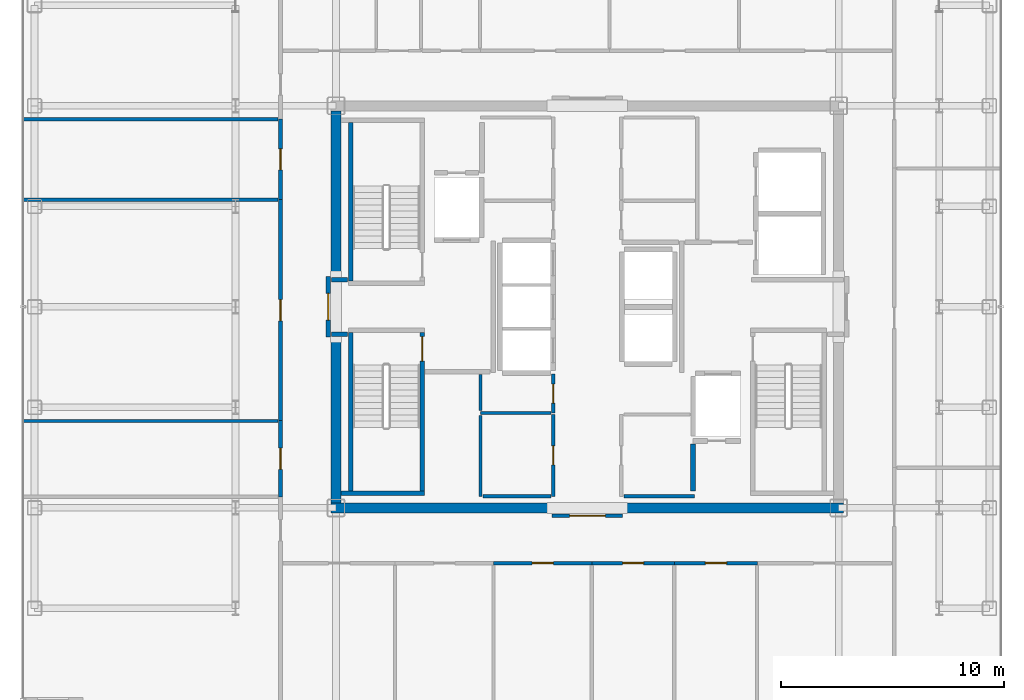
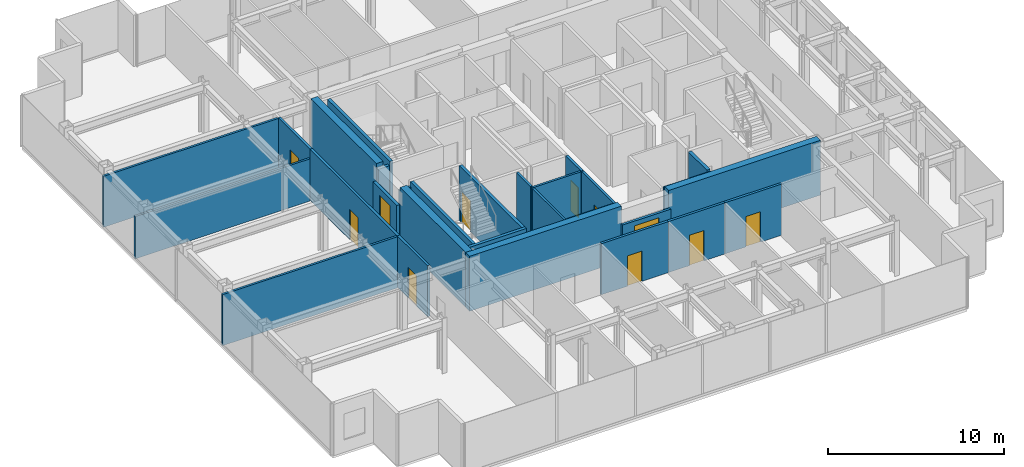
# One storey, part 13 of 18: 29 walls, 11 doors, 11 openings.
"""IFC4 building model written with IfcOpenShell, lengths in metres."""

from ifc_helpers import new_model, si_unit, direction, frame, frame_2d, origin, place, context, subcontext, project, spatial, rectangle, extrude, source, transform, mapped, material, layer, layer_set, type_object, element, fill, save


model = new_model("IFC4")

# Units and contexts
model_context = context("Model", 3, precision=1e-05, world=origin(), true_north=direction((0.0, 1.0)))
body_context = subcontext(model_context, "Body", "Model", "MODEL_VIEW")
ifc_project = project(units=[si_unit("LENGTHUNIT", "METRE"), si_unit("AREAUNIT", "SQUARE_METRE"), si_unit("VOLUMEUNIT", "CUBIC_METRE"), si_unit("PLANEANGLEUNIT", "RADIAN"), si_unit("MASSUNIT", "GRAM", prefix="KILO")], contexts=[model_context])

# Site, building, storey
site_placement = place(None, origin())
site = spatial("IfcSite", under=ifc_project, at=site_placement, CompositionType="ELEMENT")
building_placement = place(site_placement, origin())
building = spatial("IfcBuilding", under=site, at=building_placement, Name="Nefas-Gora Pilgrimage Tower", CompositionType="ELEMENT")
storey_placement = place(building_placement, frame((0.0, 0.0, 283.60009765625)))
storey = spatial("IfcBuildingStorey", under=building, at=storey_placement, Name="L71", CompositionType="ELEMENT", Elevation=283.60009765625)

# Walls
ifc_material_1 = material(Name="Concrete C50/60", Category="concrete")
ifc_layer_1 = layer(ifc_material_1, 0.449951171875)
ifc_layer_set_1 = layer_set([ifc_layer_1], Name="Concrete C50/60")
wall_type_1 = type_object("IfcWallType", Name="SW-CORE-450", PredefinedType="SHEAR", material=ifc_layer_set_1)
shared_shape_1 = source(origin(), body_context, "Body", "SweptSolid", [
    extrude(rectangle(XDim=9.925048828125, YDim=0.449951171875, at=frame_2d((4.96240234375, 0.0))), origin(), (0.0, 0.0, 1.0), 3.7998046875),
])
for number, where, z_axis, x_axis, name in (
    (1, (-11.47509765625, -9.0, 0.0), (0.0, 0.0, 1.0), (1.0, 0.0, 0.0), "L71 Core Shear Wall S-West"),
    (2, (1.550048828125, -9.0, 0.0), (0.0, 0.0, 1.0), (1.0, 0.0, 0.0), "L71 Core Shear Wall S-East"),
):
    element("IfcWall", number, at=place(storey_placement, frame(where, z_axis=z_axis, x_axis=x_axis)), inside=storey, type_object=wall_type_1, Name=name, PredefinedType="SHEAR", context=body_context, shape_type="MappedRepresentation", body=[
        mapped(shared_shape_1, transform((0.0, 0.0, 0.0), x_axis=(1.0, 0.0, 0.0), y_axis=(0.0, 1.0, 0.0), z_axis=(0.0, 0.0, 1.0), scale=1.0)),
    ])
shared_shape_2 = source(origin(), body_context, "Body", "SweptSolid", [
    extrude(rectangle(XDim=7.4248046875, YDim=0.449951171875, at=frame_2d((3.71240234375, 0.0))), origin(), (0.0, 0.0, 1.0), 3.7998046875),
])
for number, where, z_axis, x_axis, name in (
    (3, (-11.25, -8.77490234375, 0.0), (0.0, 0.0, 1.0), (0.0, 1.0, 0.0), "L71 Core Shear Wall W-South"),
    (4, (-11.25, 1.35009765625, 0.0), (0.0, 0.0, 1.0), (0.0, 1.0, 0.0), "L71 Core Shear Wall W-North"),
):
    element("IfcWall", number, at=place(storey_placement, frame(where, z_axis=z_axis, x_axis=x_axis)), inside=storey, type_object=wall_type_1, Name=name, PredefinedType="SHEAR", context=body_context, shape_type="MappedRepresentation", body=[
        mapped(shared_shape_2, transform((0.0, 0.0, 0.0), x_axis=(1.0, 0.0, 0.0), y_axis=(0.0, 1.0, 0.0), z_axis=(0.0, 0.0, 1.0), scale=1.0)),
    ])
ifc_material_2 = material(Name="Concrete C45/55", Category="concrete")
ifc_layer_2 = layer(ifc_material_2, 0.199951171875)
ifc_layer_set_2 = layer_set([ifc_layer_2], Name="Concrete C45/55")
wall_type_2 = type_object("IfcWallType", Name="IW-STAIR-200", PredefinedType="SOLIDWALL", material=ifc_layer_set_2)
shared_shape_3 = source(origin(), body_context, "Body", "SweptSolid", [
    extrude(rectangle(XDim=7.10009765625, YDim=0.199951171875, at=frame_2d((3.550048828125, 0.0))), origin(), (0.0, 0.0, 1.0), 3.7998046875),
])
for number, where, z_axis, x_axis, name in (
    (5, (-10.60009765625, 1.14990234375, 0.0), (0.0, 0.0, 1.0), (0.0, 1.0, 0.0), "L71 Stairwell Shear Wall ST-01-right"),
    (6, (-10.60009765625, -1.14990234375, 0.0), (0.0, 0.0, 1.0), (0.0, -1.0, 0.0), "L71 Stairwell Shear Wall ST-03-left"),
):
    element("IfcWall", number, at=place(storey_placement, frame(where, z_axis=z_axis, x_axis=x_axis)), inside=storey, type_object=wall_type_2, Name=name, PredefinedType="SOLIDWALL", context=body_context, shape_type="MappedRepresentation", body=[
        mapped(shared_shape_3, transform((0.0, 0.0, 0.0), x_axis=(1.0, 0.0, 0.0), y_axis=(0.0, 1.0, 0.0), z_axis=(0.0, 0.0, 1.0), scale=1.0)),
    ])

# Wall, opening, door
wall_1_placement = place(storey_placement, frame((-7.39990234375, -1.14990234375, 0.0), z_axis=(0.0, 0.0, 1.0), x_axis=(0.0, -1.0, 0.0)))
wall_1 = element("IfcWall", 7, at=wall_1_placement, inside=storey, type_object=wall_type_2, Name="L71 Stairwell Shear Wall ST-03-right", PredefinedType="SOLIDWALL", context=body_context, shape_type="MappedRepresentation", body=[
    mapped(shared_shape_3, transform((0.0, 0.0, 0.0), x_axis=(1.0, 0.0, 0.0), y_axis=(0.0, 1.0, 0.0), z_axis=(0.0, 0.0, 1.0), scale=1.0)),
])
opening_1_placement = place(wall_1_placement, frame((0.179931640625, 0.0, 0.0)))
opening_1 = element("IfcOpeningElement", 8, at=opening_1_placement, cuts=wall_1, Name="Opening ID-ST1", PredefinedType="OPENING", context=body_context, shape_type="SweptSolid", body=[
    extrude(rectangle(XDim=1.10009765625, YDim=2.14990234375, at=frame_2d((0.550048828125, 1.074951171875))), frame((0.0, 0.10986328125, 0.0), z_axis=(0.0, -1.0, 0.0), x_axis=(1.0, 0.0, 0.0)), (0.0, 0.0, 1.0), 0.219970703125),
])
ifc_material_3 = material(Name="Painted galvanised steel fire stair door", Category="steel")
door_type_1 = type_object("IfcDoorType", Name="DR-INT-STAIR-1100", OperationType="NOTDEFINED", PredefinedType="DOOR", material=ifc_material_3)
shared_shape_4 = source(origin(), body_context, "Body", "SweptSolid", [
    extrude(rectangle(XDim=1.10009765625, YDim=2.14990234375, at=frame_2d((0.550048828125, 1.074951171875))), frame((0.0, 0.02490234375, 0.0), z_axis=(0.0, -1.0, 0.0), x_axis=(1.0, 0.0, 0.0)), (0.0, 0.0, 1.0), 0.050048828125),
])
door_1_placement = place(opening_1_placement, origin())
door_1 = element("IfcDoor", 9, at=door_1_placement, inside=storey, type_object=door_type_1, Name="L71 Protected Exit Stair Door ST-03", OperationType="SINGLE_SWING_LEFT", OverallHeight=2.14990234375, OverallWidth=1.10009765625, PredefinedType="DOOR", context=body_context, shape_type="MappedRepresentation", body=[
    mapped(shared_shape_4, transform((0.0, 0.0, 0.0), x_axis=(1.0, 0.0, 0.0), y_axis=(0.0, 1.0, 0.0), z_axis=(0.0, 0.0, 1.0), scale=1.0)),
])
fill(opening_1, door_1)

# Walls
shared_shape_5 = source(origin(), body_context, "Body", "SweptSolid", [
    extrude(rectangle(XDim=3.72998046875, YDim=0.199951171875, at=frame_2d((1.864990234375, 0.0))), origin(), (0.0, 0.0, 1.0), 3.7998046875),
])
wall_2_placement = place(storey_placement, frame((-11.030029296875, -8.35009765625, 0.0), z_axis=(0.0, 0.0, 1.0), x_axis=(1.0, 0.0, 0.0)))
element("IfcWall", 10, at=wall_2_placement, inside=storey, type_object=wall_type_2, Name="L71 Stairwell Shear Wall ST-03-far", PredefinedType="SOLIDWALL", context=body_context, shape_type="MappedRepresentation", body=[
    mapped(shared_shape_5, transform((0.0, 0.0, 0.0), x_axis=(1.0, 0.0, 0.0), y_axis=(0.0, 1.0, 0.0), z_axis=(0.0, 0.0, 1.0), scale=1.0)),
])
ifc_material_4 = material(Name="Gypsum fire-rated shaftwall")
ifc_layer_3 = layer(ifc_material_4, 0.199951171875)
ifc_layer_set_3 = layer_set([ifc_layer_3], Name="Gypsum fire-rated shaftwall")
wall_type_3 = type_object("IfcWallType", Name="IW-FFLOB-200", PredefinedType="PARTITIONING", material=ifc_layer_set_3)
shared_shape_6 = source(origin(), body_context, "Body", "SweptSolid", [
    extrude(rectangle(XDim=0.719970703125, YDim=0.199951171875, at=frame_2d((0.35986328125, 0.0))), origin(), (0.0, 0.0, 1.0), 3.534912109375),
])
for number, where, z_axis, x_axis, name in (
    (11, (-11.4599609375, 1.219970703125, 0.0), (0.0, 0.0, 1.0), (1.0, 0.0, 0.0), "L71 FF Lobby West Throat N Wall 8"),
    (12, (-11.4599609375, -1.219970703125, 0.0), (0.0, 0.0, 1.0), (1.0, 0.0, 0.0), "L71 FF Lobby West Throat S Wall 9"),
):
    element("IfcWall", number, at=place(storey_placement, frame(where, z_axis=z_axis, x_axis=x_axis)), inside=storey, type_object=wall_type_3, Name=name, PredefinedType="PARTITIONING", context=body_context, shape_type="MappedRepresentation", body=[
        mapped(shared_shape_6, transform((0.0, 0.0, 0.0), x_axis=(1.0, 0.0, 0.0), y_axis=(0.0, 1.0, 0.0), z_axis=(0.0, 0.0, 1.0), scale=1.0)),
    ])

# Wall, opening, door
ifc_material_5 = material(Name="Gypsum acoustic stud partition")
ifc_layer_4 = layer(ifc_material_5, 0.159912109375)
ifc_layer_set_4 = layer_set([ifc_layer_4], Name="Gypsum acoustic stud partition")
wall_type_4 = type_object("IfcWallType", Name="IW-CORR-160", PredefinedType="PARTITIONING", material=ifc_layer_set_4)
shared_shape_7 = source(origin(), body_context, "Body", "SweptSolid", [
    extrude(rectangle(XDim=3.610107421875, YDim=0.159912109375, at=frame_2d((1.80517578125, 0.0))), origin(), (0.0, 0.0, 1.0), 3.534912109375),
])
wall_3_placement = place(storey_placement, frame((-13.739990234375, 4.794921875, 0.0), z_axis=(0.0, 0.0, 1.0), x_axis=(0.0, 1.0, 0.0)))
wall_3 = element("IfcWall", 13, at=wall_3_placement, inside=storey, type_object=wall_type_4, Name="L71 Scripture Reading Study Partition Wall 45", PredefinedType="PARTITIONING", context=body_context, shape_type="MappedRepresentation", body=[
    mapped(shared_shape_7, transform((0.0, 0.0, 0.0), x_axis=(1.0, 0.0, 0.0), y_axis=(0.0, 1.0, 0.0), z_axis=(0.0, 0.0, 1.0), scale=1.0)),
])
opening_2_placement = place(wall_3_placement, frame((1.330078125, 0.0, 0.0)))
opening_2 = element("IfcOpeningElement", 14, at=opening_2_placement, cuts=wall_3, Name="Opening ID-GR1", PredefinedType="OPENING", context=body_context, shape_type="SweptSolid", body=[
    extrude(rectangle(XDim=0.949951171875, YDim=2.10009765625, at=frame_2d((0.47509765625, 1.050048828125))), frame((0.0, 0.08984375, 0.0), z_axis=(0.0, -1.0, 0.0), x_axis=(1.0, 0.0, 0.0)), (0.0, 0.0, 1.0), 0.179931640625),
])
ifc_material_6 = material(Name="Solid core oak fire-rated guest entrance door")
door_type_2 = type_object("IfcDoorType", Name="DR-INT-GUEST-950", OperationType="NOTDEFINED", PredefinedType="DOOR", material=ifc_material_6)
shared_shape_8 = source(origin(), body_context, "Body", "SweptSolid", [
    extrude(rectangle(XDim=0.949951171875, YDim=2.10009765625, at=frame_2d((0.47509765625, 1.050048828125))), frame((0.0, 0.02490234375, 0.0), z_axis=(0.0, -1.0, 0.0), x_axis=(1.0, 0.0, 0.0)), (0.0, 0.0, 1.0), 0.050048828125),
])
door_2_placement = place(opening_2_placement, origin())
door_2 = element("IfcDoor", 15, at=door_2_placement, inside=storey, type_object=door_type_2, Name="L71 Scripture Reading Study Door 19", OperationType="SINGLE_SWING_LEFT", OverallHeight=2.10009765625, OverallWidth=0.949951171875, PredefinedType="DOOR", context=body_context, shape_type="MappedRepresentation", body=[
    mapped(shared_shape_8, transform((0.0, 0.0, 0.0), x_axis=(1.0, 0.0, 0.0), y_axis=(0.0, 1.0, 0.0), z_axis=(0.0, 0.0, 1.0), scale=1.0)),
])
fill(opening_2, door_2)

shared_shape_9 = source(origin(), body_context, "Body", "SweptSolid", [
    extrude(rectangle(XDim=3.704833984375, YDim=0.159912109375, at=frame_2d((1.8525390625, 0.0))), origin(), (0.0, 0.0, 1.0), 3.534912109375),
])
wall_4_placement = place(storey_placement, frame((0.195068359375, -11.469970703125, 0.0), z_axis=(0.0, 0.0, 1.0), x_axis=(1.0, 0.0, 0.0)))
wall_4 = element("IfcWall", 16, at=wall_4_placement, inside=storey, type_object=wall_type_4, Name="L71 Pilgrim Contemplative Lounge Partition Wall 67", PredefinedType="PARTITIONING", context=body_context, shape_type="MappedRepresentation", body=[
    mapped(shared_shape_9, transform((0.0, 0.0, 0.0), x_axis=(1.0, 0.0, 0.0), y_axis=(0.0, 1.0, 0.0), z_axis=(0.0, 0.0, 1.0), scale=1.0)),
])
opening_3_placement = place(wall_4_placement, frame((1.37744140625, 0.0, 0.0)))
opening_3 = element("IfcOpeningElement", 17, at=opening_3_placement, cuts=wall_4, Name="Opening ID-GR1", PredefinedType="OPENING", context=body_context, shape_type="SweptSolid", body=[
    extrude(rectangle(XDim=0.949951171875, YDim=2.10009765625, at=frame_2d((0.47509765625, 1.050048828125))), frame((0.0, 0.08984375, 0.0), z_axis=(0.0, -1.0, 0.0), x_axis=(1.0, 0.0, 0.0)), (0.0, 0.0, 1.0), 0.179931640625),
])
door_3_placement = place(opening_3_placement, origin())
door_3 = element("IfcDoor", 18, at=door_3_placement, inside=storey, type_object=door_type_2, Name="L71 Pilgrim Contemplative Lounge Door 32", OperationType="SINGLE_SWING_RIGHT", OverallHeight=2.10009765625, OverallWidth=0.949951171875, PredefinedType="DOOR", context=body_context, shape_type="MappedRepresentation", body=[
    mapped(shared_shape_8, transform((0.0, 0.0, 0.0), x_axis=(1.0, 0.0, 0.0), y_axis=(0.0, 1.0, 0.0), z_axis=(0.0, 0.0, 1.0), scale=1.0)),
])
fill(opening_3, door_3)

shared_shape_10 = source(origin(), body_context, "Body", "SweptSolid", [
    extrude(rectangle(XDim=3.705078125, YDim=0.159912109375, at=frame_2d((1.8525390625, 0.0))), origin(), (0.0, 0.0, 1.0), 3.534912109375),
])
wall_5_placement = place(storey_placement, frame((3.89990234375, -11.469970703125, 0.0), z_axis=(0.0, 0.0, 1.0), x_axis=(1.0, 0.0, 0.0)))
wall_5 = element("IfcWall", 19, at=wall_5_placement, inside=storey, type_object=wall_type_4, Name="L71 Pilgrim Contemplative Lounge Partition Wall 69", PredefinedType="PARTITIONING", context=body_context, shape_type="MappedRepresentation", body=[
    mapped(shared_shape_10, transform((0.0, 0.0, 0.0), x_axis=(1.0, 0.0, 0.0), y_axis=(0.0, 1.0, 0.0), z_axis=(0.0, 0.0, 1.0), scale=1.0)),
])
opening_4_placement = place(wall_5_placement, frame((1.37744140625, 0.0, 0.0)))
opening_4 = element("IfcOpeningElement", 20, at=opening_4_placement, cuts=wall_5, Name="Opening ID-GR1", PredefinedType="OPENING", context=body_context, shape_type="SweptSolid", body=[
    extrude(rectangle(XDim=0.949951171875, YDim=2.10009765625, at=frame_2d((0.47509765625, 1.050048828125))), frame((0.0, 0.08984375, 0.0), z_axis=(0.0, -1.0, 0.0), x_axis=(1.0, 0.0, 0.0)), (0.0, 0.0, 1.0), 0.179931640625),
])
door_4_placement = place(opening_4_placement, origin())
door_4 = element("IfcDoor", 21, at=door_4_placement, inside=storey, type_object=door_type_2, Name="L71 Pilgrim Contemplative Lounge Door 33", OperationType="SINGLE_SWING_LEFT", OverallHeight=2.10009765625, OverallWidth=0.949951171875, PredefinedType="DOOR", context=body_context, shape_type="MappedRepresentation", body=[
    mapped(shared_shape_8, transform((0.0, 0.0, 0.0), x_axis=(1.0, 0.0, 0.0), y_axis=(0.0, 1.0, 0.0), z_axis=(0.0, 0.0, 1.0), scale=1.0)),
])
fill(opening_4, door_4)

# Walls
ifc_material_7 = material(Name="Gypsum twin-stud partition")
ifc_layer_5 = layer(ifc_material_7, 0.139892578125)
ifc_layer_set_5 = layer_set([ifc_layer_5], Name="Gypsum twin-stud partition")
wall_type_5 = type_object("IfcWallType", Name="IW-UNIT-140", PredefinedType="PARTITIONING", material=ifc_layer_set_5)
shared_shape_11 = source(origin(), body_context, "Body", "SweptSolid", [
    extrude(rectangle(XDim=3.150146484375, YDim=0.139892578125, at=frame_2d((1.5751953125, 0.0))), origin(), (0.0, 0.0, 1.0), 3.534912109375),
])
for number, where, z_axis, x_axis, name in (
    (22, (-4.7900390625, -4.75, 0.0), (0.0, 0.0, 1.0), (1.0, 0.0, 0.0), "L71 Guest Self-Service Laundry Room Partition Wall 28"),
    (23, (1.639892578125, -8.47998046875, 0.0), (0.0, 0.0, 1.0), (1.0, 0.0, 0.0), "L71 High-Rise Tableware Store Partition Wall 35"),
):
    element("IfcWall", number, at=place(storey_placement, frame(where, z_axis=z_axis, x_axis=x_axis)), inside=storey, type_object=wall_type_5, Name=name, PredefinedType="PARTITIONING", context=body_context, shape_type="MappedRepresentation", body=[
        mapped(shared_shape_11, transform((0.0, 0.0, 0.0), x_axis=(1.0, 0.0, 0.0), y_axis=(0.0, 1.0, 0.0), z_axis=(0.0, 0.0, 1.0), scale=1.0)),
    ])

# Wall, opening, door
shared_shape_12 = source(origin(), body_context, "Body", "SweptSolid", [
    extrude(rectangle(XDim=3.409912109375, YDim=0.159912109375, at=frame_2d((1.705078125, 0.0))), origin(), (0.0, 0.0, 1.0), 3.534912109375),
])
wall_6_placement = place(storey_placement, frame((-13.739990234375, -8.5048828125, 0.0), z_axis=(0.0, 0.0, 1.0), x_axis=(0.0, 1.0, 0.0)))
wall_6 = element("IfcWall", 24, at=wall_6_placement, inside=storey, type_object=wall_type_4, Name="L71 Pastoral Chaplains Counselling Office Partition Wall 41", PredefinedType="PARTITIONING", context=body_context, shape_type="MappedRepresentation", body=[
    mapped(shared_shape_12, transform((0.0, 0.0, 0.0), x_axis=(1.0, 0.0, 0.0), y_axis=(0.0, 1.0, 0.0), z_axis=(0.0, 0.0, 1.0), scale=1.0)),
])
opening_5_placement = place(wall_6_placement, frame((1.22998046875, 0.0, 0.0)))
opening_5 = element("IfcOpeningElement", 25, at=opening_5_placement, cuts=wall_6, Name="Opening ID-GR1", PredefinedType="OPENING", context=body_context, shape_type="SweptSolid", body=[
    extrude(rectangle(XDim=0.949951171875, YDim=2.10009765625, at=frame_2d((0.47509765625, 1.050048828125))), frame((0.0, 0.08984375, 0.0), z_axis=(0.0, -1.0, 0.0), x_axis=(1.0, 0.0, 0.0)), (0.0, 0.0, 1.0), 0.179931640625),
])
door_5_placement = place(opening_5_placement, origin())
door_5 = element("IfcDoor", 26, at=door_5_placement, inside=storey, type_object=door_type_2, Name="L71 Pastoral Chaplains Counselling Office Door 17", OperationType="SINGLE_SWING_LEFT", OverallHeight=2.10009765625, OverallWidth=0.949951171875, PredefinedType="DOOR", context=body_context, shape_type="MappedRepresentation", body=[
    mapped(shared_shape_8, transform((0.0, 0.0, 0.0), x_axis=(1.0, 0.0, 0.0), y_axis=(0.0, 1.0, 0.0), z_axis=(0.0, 0.0, 1.0), scale=1.0)),
])
fill(opening_5, door_5)

shared_shape_13 = source(origin(), body_context, "Body", "SweptSolid", [
    extrude(rectangle(XDim=4.405029296875, YDim=0.159912109375, at=frame_2d((2.20263671875, 0.0))), origin(), (0.0, 0.0, 1.0), 3.534912109375),
])
wall_7_placement = place(storey_placement, frame((-4.199951171875, -11.469970703125, 0.0), z_axis=(0.0, 0.0, 1.0), x_axis=(1.0, 0.0, 0.0)))
wall_7 = element("IfcWall", 27, at=wall_7_placement, inside=storey, type_object=wall_type_4, Name="L71 Pilgrim Contemplative Lounge Partition Wall 65", PredefinedType="PARTITIONING", context=body_context, shape_type="MappedRepresentation", body=[
    mapped(shared_shape_13, transform((0.0, 0.0, 0.0), x_axis=(1.0, 0.0, 0.0), y_axis=(0.0, 1.0, 0.0), z_axis=(0.0, 0.0, 1.0), scale=1.0)),
])
opening_6_placement = place(wall_7_placement, frame((1.7275390625, 0.0, 0.0)))
opening_6 = element("IfcOpeningElement", 28, at=opening_6_placement, cuts=wall_7, Name="Opening ID-GR1", PredefinedType="OPENING", context=body_context, shape_type="SweptSolid", body=[
    extrude(rectangle(XDim=0.949951171875, YDim=2.10009765625, at=frame_2d((0.47509765625, 1.050048828125))), frame((0.0, 0.08984375, 0.0), z_axis=(0.0, -1.0, 0.0), x_axis=(1.0, 0.0, 0.0)), (0.0, 0.0, 1.0), 0.179931640625),
])
door_6_placement = place(opening_6_placement, origin())
door_6 = element("IfcDoor", 29, at=door_6_placement, inside=storey, type_object=door_type_2, Name="L71 Pilgrim Contemplative Lounge Door 31", OperationType="SINGLE_SWING_LEFT", OverallHeight=2.10009765625, OverallWidth=0.949951171875, PredefinedType="DOOR", context=body_context, shape_type="MappedRepresentation", body=[
    mapped(shared_shape_8, transform((0.0, 0.0, 0.0), x_axis=(1.0, 0.0, 0.0), y_axis=(0.0, 1.0, 0.0), z_axis=(0.0, 0.0, 1.0), scale=1.0)),
])
fill(opening_6, door_6)

# Walls
shared_shape_14 = source(origin(), body_context, "Body", "SweptSolid", [
    extrude(rectangle(XDim=11.429931640625, YDim=0.139892578125, at=frame_2d((5.71484375, 0.0))), origin(), (0.0, 0.0, 1.0), 3.534912109375),
])
for number, where, z_axis, x_axis, name in (
    (30, (-25.2900390625, -5.10498046875, 0.0), (0.0, 0.0, 1.0), (1.0, 0.0, 0.0), "L71 Pastoral Chaplains Counselling Office Partition Wall 42"),
    (31, (-25.2900390625, 8.39501953125, 0.0), (0.0, 0.0, 1.0), (1.0, 0.0, 0.0), "L71 Scripture Reading Study Partition Wall 46"),
):
    element("IfcWall", number, at=place(storey_placement, frame(where, z_axis=z_axis, x_axis=x_axis)), inside=storey, type_object=wall_type_5, Name=name, PredefinedType="PARTITIONING", context=body_context, shape_type="MappedRepresentation", body=[
        mapped(shared_shape_14, transform((0.0, 0.0, 0.0), x_axis=(1.0, 0.0, 0.0), y_axis=(0.0, 1.0, 0.0), z_axis=(0.0, 0.0, 1.0), scale=1.0)),
    ])

# Wall, opening, door
shared_shape_15 = source(origin(), body_context, "Body", "SweptSolid", [
    extrude(rectangle(XDim=1.75, YDim=0.159912109375, at=frame_2d((0.875, 0.0))), origin(), (0.0, 0.0, 1.0), 3.534912109375),
])
wall_8_placement = place(storey_placement, frame((-1.52001953125, -4.760009765625, 0.0), z_axis=(0.0, 0.0, 1.0), x_axis=(0.0, 1.0, 0.0)))
wall_8 = element("IfcWall", 32, at=wall_8_placement, inside=storey, type_object=wall_type_4, Name="L71 Guest Self-Service Laundry Room Wall 27", PredefinedType="PARTITIONING", context=body_context, shape_type="MappedRepresentation", body=[
    mapped(shared_shape_15, transform((0.0, 0.0, 0.0), x_axis=(1.0, 0.0, 0.0), y_axis=(0.0, 1.0, 0.0), z_axis=(0.0, 0.0, 1.0), scale=1.0)),
])
opening_7_placement = place(wall_8_placement, frame((0.449951171875, 0.0, 0.0)))
opening_7 = element("IfcOpeningElement", 33, at=opening_7_placement, cuts=wall_8, Name="Opening ID-BT1", PredefinedType="OPENING", context=body_context, shape_type="SweptSolid", body=[
    extrude(rectangle(XDim=0.85009765625, YDim=2.10009765625, at=frame_2d((0.425048828125, 1.050048828125))), frame((0.0, 0.08984375, 0.0), z_axis=(0.0, -1.0, 0.0), x_axis=(1.0, 0.0, 0.0)), (0.0, 0.0, 1.0), 0.179931640625),
])
ifc_material_8 = material(Name="Moisture-resistant fire-rated timber door", Category="wood")
door_type_3 = type_object("IfcDoorType", Name="DR-INT-BATH-850", OperationType="NOTDEFINED", PredefinedType="DOOR", material=ifc_material_8)
shared_shape_16 = source(origin(), body_context, "Body", "SweptSolid", [
    extrude(rectangle(XDim=0.85009765625, YDim=2.10009765625, at=frame_2d((0.425048828125, 1.050048828125))), frame((0.0, 0.02490234375, 0.0), z_axis=(0.0, -1.0, 0.0), x_axis=(1.0, 0.0, 0.0)), (0.0, 0.0, 1.0), 0.050048828125),
])
door_7_placement = place(opening_7_placement, origin())
door_7 = element("IfcDoor", 34, at=door_7_placement, inside=storey, type_object=door_type_3, Name="L71 Guest Self-Service Laundry Room Door 12", OperationType="SINGLE_SWING_RIGHT", OverallHeight=2.10009765625, OverallWidth=0.85009765625, PredefinedType="DOOR", context=body_context, shape_type="MappedRepresentation", body=[
    mapped(shared_shape_16, transform((0.0, 0.0, 0.0), x_axis=(1.0, 0.0, 0.0), y_axis=(0.0, 1.0, 0.0), z_axis=(0.0, 0.0, 1.0), scale=1.0)),
])
fill(opening_7, door_7)

shared_shape_17 = source(origin(), body_context, "Body", "SweptSolid", [
    extrude(rectangle(XDim=3.679931640625, YDim=0.159912109375, at=frame_2d((1.83984375, 0.0))), origin(), (0.0, 0.0, 1.0), 3.534912109375),
])
wall_9_placement = place(storey_placement, frame((-1.52001953125, -8.489990234375, 0.0), z_axis=(0.0, 0.0, 1.0), x_axis=(0.0, 1.0, 0.0)))
wall_9 = element("IfcWall", 35, at=wall_9_placement, inside=storey, type_object=wall_type_4, Name="L71 High-Rise Linen Store Wall 30", PredefinedType="PARTITIONING", context=body_context, shape_type="MappedRepresentation", body=[
    mapped(shared_shape_17, transform((0.0, 0.0, 0.0), x_axis=(1.0, 0.0, 0.0), y_axis=(0.0, 1.0, 0.0), z_axis=(0.0, 0.0, 1.0), scale=1.0)),
])
opening_8_placement = place(wall_9_placement, frame((1.4150390625, 0.0, 0.0)))
opening_8 = element("IfcOpeningElement", 36, at=opening_8_placement, cuts=wall_9, Name="Opening ID-BT1", PredefinedType="OPENING", context=body_context, shape_type="SweptSolid", body=[
    extrude(rectangle(XDim=0.85009765625, YDim=2.10009765625, at=frame_2d((0.425048828125, 1.050048828125))), frame((0.0, 0.08984375, 0.0), z_axis=(0.0, -1.0, 0.0), x_axis=(1.0, 0.0, 0.0)), (0.0, 0.0, 1.0), 0.179931640625),
])
door_8_placement = place(opening_8_placement, origin())
door_8 = element("IfcDoor", 37, at=door_8_placement, inside=storey, type_object=door_type_3, Name="L71 High-Rise Linen Store Door 13", OperationType="SINGLE_SWING_LEFT", OverallHeight=2.10009765625, OverallWidth=0.85009765625, PredefinedType="DOOR", context=body_context, shape_type="MappedRepresentation", body=[
    mapped(shared_shape_16, transform((0.0, 0.0, 0.0), x_axis=(1.0, 0.0, 0.0), y_axis=(0.0, 1.0, 0.0), z_axis=(0.0, 0.0, 1.0), scale=1.0)),
])
fill(opening_8, door_8)

shared_shape_18 = source(origin(), body_context, "Body", "SweptSolid", [
    extrude(rectangle(XDim=9.909912109375, YDim=0.159912109375, at=frame_2d((4.955078125, 0.0))), origin(), (0.0, 0.0, 1.0), 3.534912109375),
])
wall_10_placement = place(storey_placement, frame((-13.739990234375, -5.10498046875, 0.0), z_axis=(0.0, 0.0, 1.0), x_axis=(0.0, 1.0, 0.0)))
wall_10 = element("IfcWall", 38, at=wall_10_placement, inside=storey, type_object=wall_type_4, Name="L71 Pilgrim Fellowship Seminar Room Partition Wall 43", PredefinedType="PARTITIONING", context=body_context, shape_type="MappedRepresentation", body=[
    mapped(shared_shape_18, transform((0.0, 0.0, 0.0), x_axis=(1.0, 0.0, 0.0), y_axis=(0.0, 1.0, 0.0), z_axis=(0.0, 0.0, 1.0), scale=1.0)),
])
opening_9_placement = place(wall_10_placement, frame((4.47998046875, 0.0, 0.0)))
opening_9 = element("IfcOpeningElement", 39, at=opening_9_placement, cuts=wall_10, Name="Opening ID-GR1", PredefinedType="OPENING", context=body_context, shape_type="SweptSolid", body=[
    extrude(rectangle(XDim=0.949951171875, YDim=2.10009765625, at=frame_2d((0.47509765625, 1.050048828125))), frame((0.0, 0.08984375, 0.0), z_axis=(0.0, -1.0, 0.0), x_axis=(1.0, 0.0, 0.0)), (0.0, 0.0, 1.0), 0.179931640625),
])
door_9_placement = place(opening_9_placement, origin())
door_9 = element("IfcDoor", 40, at=door_9_placement, inside=storey, type_object=door_type_2, Name="L71 Pilgrim Fellowship Seminar Room Door 18", OperationType="SINGLE_SWING_RIGHT", OverallHeight=2.10009765625, OverallWidth=0.949951171875, PredefinedType="DOOR", context=body_context, shape_type="MappedRepresentation", body=[
    mapped(shared_shape_8, transform((0.0, 0.0, 0.0), x_axis=(1.0, 0.0, 0.0), y_axis=(0.0, 1.0, 0.0), z_axis=(0.0, 0.0, 1.0), scale=1.0)),
])
fill(opening_9, door_9)

shared_shape_19 = source(origin(), body_context, "Body", "SweptSolid", [
    extrude(rectangle(XDim=2.7001953125, YDim=0.199951171875, at=frame_2d((1.35009765625, 0.0))), origin(), (0.0, 0.0, 1.0), 2.625),
])
wall_11_placement = place(storey_placement, frame((-11.60009765625, -1.35009765625, 0.0), z_axis=(0.0, 0.0, 1.0), x_axis=(0.0, 1.0, 0.0)))
wall_11 = element("IfcWall", 41, at=wall_11_placement, inside=storey, type_object=wall_type_3, Name="L71 FF Lobby West Portal Wall 5", PredefinedType="PARTITIONING", context=body_context, shape_type="MappedRepresentation", body=[
    mapped(shared_shape_19, transform((0.0, 0.0, 0.0), x_axis=(1.0, 0.0, 0.0), y_axis=(0.0, 1.0, 0.0), z_axis=(0.0, 0.0, 1.0), scale=1.0)),
])
opening_10_placement = place(wall_11_placement, frame((0.75, 0.0, 0.0)))
opening_10 = element("IfcOpeningElement", 42, at=opening_10_placement, cuts=wall_11, Name="Opening ID-FF1", PredefinedType="OPENING", context=body_context, shape_type="SweptSolid", body=[
    extrude(rectangle(XDim=1.199951171875, YDim=2.14990234375, at=frame_2d((0.60009765625, 1.074951171875))), frame((0.0, 0.10986328125, 0.0), z_axis=(0.0, -1.0, 0.0), x_axis=(1.0, 0.0, 0.0)), (0.0, 0.0, 1.0), 0.219970703125),
])
ifc_material_9 = material(Name="Smoke-sealed steel firefighting lobby door", Category="steel")
door_type_4 = type_object("IfcDoorType", Name="DR-INT-FFLOB-1200", OperationType="NOTDEFINED", PredefinedType="DOOR", material=ifc_material_9)
shared_shape_20 = source(origin(), body_context, "Body", "SweptSolid", [
    extrude(rectangle(XDim=1.199951171875, YDim=2.14990234375, at=frame_2d((0.60009765625, 1.074951171875))), frame((0.0, 0.02490234375, 0.0), z_axis=(0.0, -1.0, 0.0), x_axis=(1.0, 0.0, 0.0)), (0.0, 0.0, 1.0), 0.050048828125),
])
door_10_placement = place(opening_10_placement, origin())
door_10 = element("IfcDoor", 43, at=door_10_placement, inside=storey, type_object=door_type_4, Name="L71 FF Lobby West Portal Door 3", OperationType="SINGLE_SWING_LEFT", OverallHeight=2.14990234375, OverallWidth=1.199951171875, PredefinedType="DOOR", context=body_context, shape_type="MappedRepresentation", body=[
    mapped(shared_shape_20, transform((0.0, 0.0, 0.0), x_axis=(1.0, 0.0, 0.0), y_axis=(0.0, 1.0, 0.0), z_axis=(0.0, 0.0, 1.0), scale=1.0)),
])
fill(opening_10, door_10)

shared_shape_21 = source(origin(), body_context, "Body", "SweptSolid", [
    extrude(rectangle(XDim=3.16015625, YDim=0.159912109375, at=frame_2d((1.580078125, 0.0))), origin(), (0.0, 0.0, 1.0), 2.625),
])
wall_12_placement = place(storey_placement, frame((-1.580078125, -9.35009765625, 0.0), z_axis=(0.0, 0.0, 1.0), x_axis=(1.0, 0.0, 0.0)))
wall_12 = element("IfcWall", 44, at=wall_12_placement, inside=storey, type_object=wall_type_4, Name="L71 Central Lift Lobby South Portal Wall 17", PredefinedType="PARTITIONING", context=body_context, shape_type="MappedRepresentation", body=[
    mapped(shared_shape_21, transform((0.0, 0.0, 0.0), x_axis=(1.0, 0.0, 0.0), y_axis=(0.0, 1.0, 0.0), z_axis=(0.0, 0.0, 1.0), scale=1.0)),
])
opening_11_placement = place(wall_12_placement, frame((0.780029296875, 0.0, 0.0)))
opening_11 = element("IfcOpeningElement", 45, at=opening_11_placement, cuts=wall_12, Name="Opening ID-HL1", PredefinedType="OPENING", context=body_context, shape_type="SweptSolid", body=[
    extrude(rectangle(XDim=1.60009765625, YDim=2.300048828125, at=frame_2d((0.800048828125, 1.14990234375))), frame((0.0, 0.08984375, 0.0), z_axis=(0.0, -1.0, 0.0), x_axis=(1.0, 0.0, 0.0)), (0.0, 0.0, 1.0), 0.179931640625),
])
ifc_material_10 = material(Name="Double acoustic timber assembly hall door", Category="wood")
door_type_5 = type_object("IfcDoorType", Name="DR-INT-HALL-1600", OperationType="DOUBLE_DOOR_SINGLE_SWING", PredefinedType="DOOR", material=ifc_material_10)
shared_shape_22 = source(origin(), body_context, "Body", "SweptSolid", [
    extrude(rectangle(XDim=1.60009765625, YDim=2.300048828125, at=frame_2d((0.800048828125, 1.14990234375))), frame((0.0, 0.02490234375, 0.0), z_axis=(0.0, -1.0, 0.0), x_axis=(1.0, 0.0, 0.0)), (0.0, 0.0, 1.0), 0.050048828125),
])
door_11_placement = place(opening_11_placement, origin())
door_11 = element("IfcDoor", 46, at=door_11_placement, inside=storey, type_object=door_type_5, Name="L71 Central Lift Lobby South Portal Door 7", OperationType="DOUBLE_DOOR_SINGLE_SWING", OverallHeight=2.300048828125, OverallWidth=1.60009765625, PredefinedType="DOOR", context=body_context, shape_type="MappedRepresentation", body=[
    mapped(shared_shape_22, transform((0.0, 0.0, 0.0), x_axis=(1.0, 0.0, 0.0), y_axis=(0.0, 1.0, 0.0), z_axis=(0.0, 0.0, 1.0), scale=1.0)),
])
fill(opening_11, door_11)

# Walls
shared_shape_23 = source(origin(), body_context, "Body", "SweptSolid", [
    extrude(rectangle(XDim=11.429931640625, YDim=0.139892578125, at=frame_2d((5.71484375, 0.0))), origin(), (0.0, 0.0, 1.0), 2.9248046875),
])
wall_13_placement = place(storey_placement, frame((-25.2900390625, 4.794921875, 0.0), z_axis=(0.0, 0.0, 1.0), x_axis=(1.0, 0.0, 0.0)))
element("IfcWall", 47, at=wall_13_placement, inside=storey, type_object=wall_type_5, Name="L71 Pilgrim Fellowship Seminar Room Partition Wall 44", PredefinedType="PARTITIONING", context=body_context, shape_type="MappedRepresentation", body=[
    mapped(shared_shape_23, transform((0.0, 0.0, 0.0), x_axis=(1.0, 0.0, 0.0), y_axis=(0.0, 1.0, 0.0), z_axis=(0.0, 0.0, 1.0), scale=1.0)),
])
ifc_material_11 = material(Name="Concrete C40/50", Category="concrete")
ifc_layer_6 = layer(ifc_material_11, 0.219970703125)
ifc_layer_set_6 = layer_set([ifc_layer_6], Name="Concrete C40/50")
wall_type_6 = type_object("IfcWallType", Name="IW-SHAFT-220", PredefinedType="SOLIDWALL", material=ifc_layer_set_6)
shared_shape_24 = source(origin(), body_context, "Body", "SweptSolid", [
    extrude(rectangle(XDim=2.10009765625, YDim=0.219970703125, at=frame_2d((1.050048828125, 0.0))), origin(), (0.0, 0.0, 1.0), 3.534912109375),
])
wall_14_placement = place(storey_placement, frame((4.719970703125, -8.25, 0.0), z_axis=(0.0, 0.0, 1.0), x_axis=(0.0, 1.0, 0.0)))
element("IfcWall", 48, at=wall_14_placement, inside=storey, type_object=wall_type_6, Name="L71 Riser Shaft Wall 4", PredefinedType="SOLIDWALL", context=body_context, shape_type="MappedRepresentation", body=[
    mapped(shared_shape_24, transform((0.0, 0.0, 0.0), x_axis=(1.0, 0.0, 0.0), y_axis=(0.0, 1.0, 0.0), z_axis=(0.0, 0.0, 1.0), scale=1.0)),
])
shared_shape_25 = source(origin(), body_context, "Body", "SweptSolid", [
    extrude(rectangle(XDim=1.599853515625, YDim=0.139892578125, at=frame_2d((0.7998046875, 0.0))), origin(), (0.0, 0.0, 1.0), 3.534912109375),
])
wall_15_placement = place(storey_placement, frame((-4.780029296875, -4.639892578125, 0.0), z_axis=(0.0, 0.0, 1.0), x_axis=(0.0, 1.0, 0.0)))
element("IfcWall", 49, at=wall_15_placement, inside=storey, type_object=wall_type_5, Name="L71 Guest Self-Service Laundry Room Partition Wall 29", PredefinedType="PARTITIONING", context=body_context, shape_type="MappedRepresentation", body=[
    mapped(shared_shape_25, transform((0.0, 0.0, 0.0), x_axis=(1.0, 0.0, 0.0), y_axis=(0.0, 1.0, 0.0), z_axis=(0.0, 0.0, 1.0), scale=1.0)),
])
shared_shape_26 = source(origin(), body_context, "Body", "SweptSolid", [
    extrude(rectangle(XDim=3.6298828125, YDim=0.139892578125, at=frame_2d((1.81494140625, 0.0))), origin(), (0.0, 0.0, 1.0), 3.534912109375),
])
wall_16_placement = place(storey_placement, frame((-4.780029296875, -8.489990234375, 0.0), z_axis=(0.0, 0.0, 1.0), x_axis=(0.0, 1.0, 0.0)))
element("IfcWall", 50, at=wall_16_placement, inside=storey, type_object=wall_type_5, Name="L71 High-Rise Linen Store Partition Wall 31", PredefinedType="PARTITIONING", context=body_context, shape_type="MappedRepresentation", body=[
    mapped(shared_shape_26, transform((0.0, 0.0, 0.0), x_axis=(1.0, 0.0, 0.0), y_axis=(0.0, 1.0, 0.0), z_axis=(0.0, 0.0, 1.0), scale=1.0)),
])
shared_shape_27 = source(origin(), body_context, "Body", "SweptSolid", [
    extrude(rectangle(XDim=3.030029296875, YDim=0.139892578125, at=frame_2d((1.51513671875, 0.0))), origin(), (0.0, 0.0, 1.0), 3.534912109375),
])
wall_17_placement = place(storey_placement, frame((-4.669921875, -8.47998046875, 0.0), z_axis=(0.0, 0.0, 1.0), x_axis=(1.0, 0.0, 0.0)))
element("IfcWall", 51, at=wall_17_placement, inside=storey, type_object=wall_type_5, Name="L71 High-Rise Linen Store Partition Wall 32", PredefinedType="PARTITIONING", context=body_context, shape_type="MappedRepresentation", body=[
    mapped(shared_shape_27, transform((0.0, 0.0, 0.0), x_axis=(1.0, 0.0, 0.0), y_axis=(0.0, 1.0, 0.0), z_axis=(0.0, 0.0, 1.0), scale=1.0)),
])

save(model, "model.ifc")
